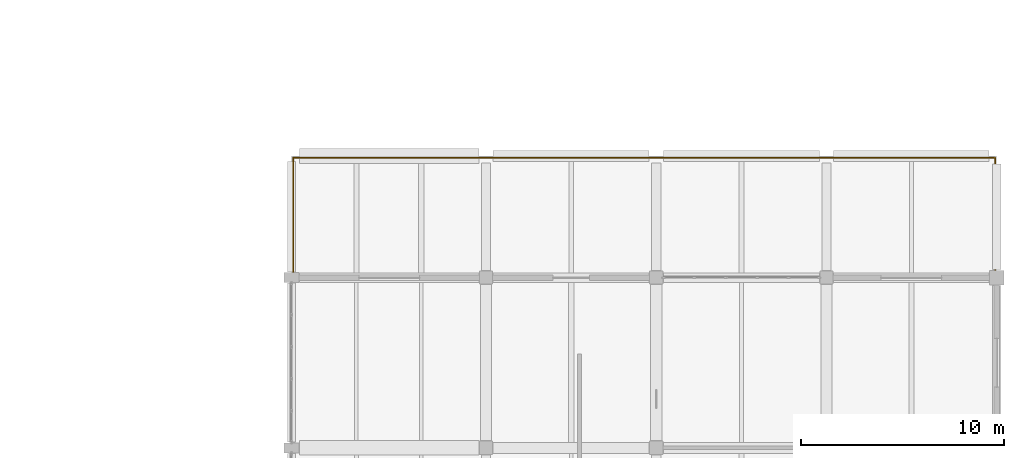
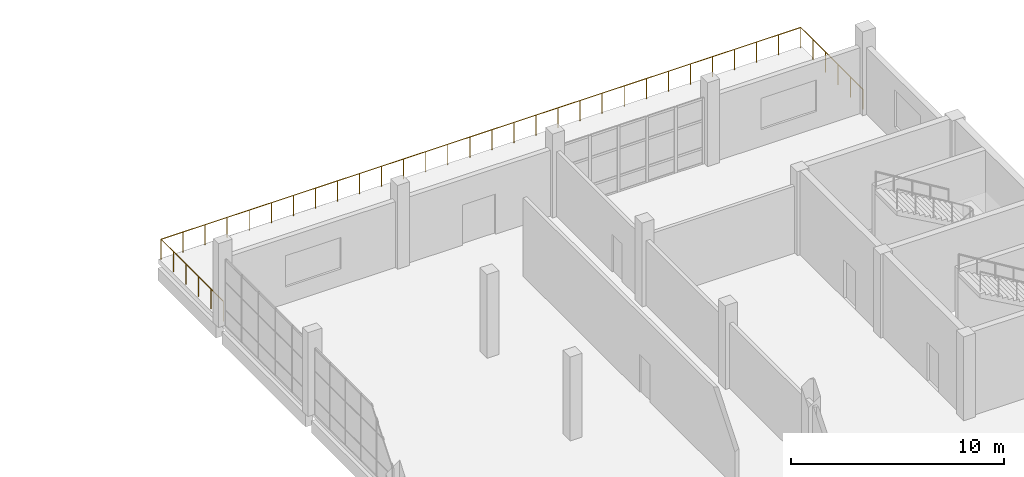
# One storey, part 79 of 79: 1 railing.
"""IFC4 building model written with IfcOpenShell, lengths in metres."""

from ifc_helpers import new_model, si_unit, direction, frame, origin, origin_2d, place, context, subcontext, project, spatial, circle, extrude, material, type_object, element, save


model = new_model("IFC4")

# Units and contexts
model_context = context("Model", 3, precision=1e-05, world=origin(), true_north=direction((0.0, 1.0)))
body_context = subcontext(model_context, "Body", "Model", "MODEL_VIEW")
ifc_project = project(units=[si_unit("LENGTHUNIT", "METRE"), si_unit("AREAUNIT", "SQUARE_METRE"), si_unit("VOLUMEUNIT", "CUBIC_METRE"), si_unit("PLANEANGLEUNIT", "RADIAN"), si_unit("MASSUNIT", "GRAM", prefix="KILO")], contexts=[model_context])

# Site, building, storey
site_placement = place(None, origin())
site = spatial("IfcSite", under=ifc_project, at=site_placement, CompositionType="ELEMENT")
building_placement = place(site_placement, origin())
building = spatial("IfcBuilding", under=site, at=building_placement, Name="Pellamere Symphony Hall", CompositionType="ELEMENT")
storey_placement = place(building_placement, frame((0.0, 0.0, 10.199951171875)))
storey = spatial("IfcBuildingStorey", under=building, at=storey_placement, Name="L02", CompositionType="ELEMENT", Elevation=10.199951171875)

# Railing
ifc_material = material(Name="Laminated Safety Glass 21.5mm with Stainless Cap", Category="glass")
railing_type = type_object("IfcRailingType", Name="Guardrail GR-03 H1180 Laminated", PredefinedType="GUARDRAIL", material=ifc_material)
railing_placement = place(storey_placement, frame((138.080078125, 93.679931640625, 0.0)))
element("IfcRailing", 1, at=railing_placement, inside=storey, type_object=railing_type, Name="Safety Guardrail GR-TER-L02-V5N", PredefinedType="GUARDRAIL", context=body_context, shape_type="SweptSolid", body=[
    extrude(circle(Radius=0.02392578125, at=origin_2d()), frame((0.0, 0.0, 1.15576171875), z_axis=(0.0, 1.0, 0.0), x_axis=(-1.0, 0.0, 0.0)), (0.0, 0.0, 1.0), 5.840087890625),
    extrude(circle(Radius=0.02392578125, at=origin_2d()), frame((0.0, 5.840087890625, 1.15576171875), z_axis=(1.0, 0.0, 0.0), x_axis=(0.0, 1.0, 0.0)), (0.0, 0.0, 1.0), 34.639892578125),
    extrude(circle(Radius=0.02392578125, at=origin_2d()), frame((34.639892578125, 5.840087890625, 1.15576171875), z_axis=(0.0, -1.0, 0.0), x_axis=(1.0, 0.0, 0.0)), (0.0, 0.0, 1.0), 5.840087890625),
    extrude(circle(Radius=0.02099609375, at=origin_2d()), origin(), (0.0, 0.0, 1.0), 1.1318359375),
    extrude(circle(Radius=0.02099609375, at=origin_2d()), frame((0.0, 1.16796875, 0.0)), (0.0, 0.0, 1.0), 1.1318359375),
    extrude(circle(Radius=0.02099609375, at=origin_2d()), frame((0.0, 2.3359375, 0.0)), (0.0, 0.0, 1.0), 1.1318359375),
    extrude(circle(Radius=0.02099609375, at=origin_2d()), frame((0.0, 3.504150390625, 0.0)), (0.0, 0.0, 1.0), 1.1318359375),
    extrude(circle(Radius=0.02099609375, at=origin_2d()), frame((0.0, 4.672119140625, 0.0)), (0.0, 0.0, 1.0), 1.1318359375),
    extrude(circle(Radius=0.02099609375, at=origin_2d()), frame((0.0, 5.840087890625, 0.0)), (0.0, 0.0, 1.0), 1.1318359375),
    extrude(circle(Radius=0.02099609375, at=origin_2d()), frame((1.194580078125, 5.840087890625, 0.0)), (0.0, 0.0, 1.0), 1.1318359375),
    extrude(circle(Radius=0.02099609375, at=origin_2d()), frame((2.388916015625, 5.840087890625, 0.0)), (0.0, 0.0, 1.0), 1.1318359375),
    extrude(circle(Radius=0.02099609375, at=origin_2d()), frame((3.58349609375, 5.840087890625, 0.0)), (0.0, 0.0, 1.0), 1.1318359375),
    extrude(circle(Radius=0.02099609375, at=origin_2d()), frame((4.77783203125, 5.840087890625, 0.0)), (0.0, 0.0, 1.0), 1.1318359375),
    extrude(circle(Radius=0.02099609375, at=origin_2d()), frame((5.972412109375, 5.840087890625, 0.0)), (0.0, 0.0, 1.0), 1.1318359375),
    extrude(circle(Radius=0.02099609375, at=origin_2d()), frame((7.1669921875, 5.840087890625, 0.0)), (0.0, 0.0, 1.0), 1.1318359375),
    extrude(circle(Radius=0.02099609375, at=origin_2d()), frame((8.361328125, 5.840087890625, 0.0)), (0.0, 0.0, 1.0), 1.1318359375),
    extrude(circle(Radius=0.02099609375, at=origin_2d()), frame((9.555908203125, 5.840087890625, 0.0)), (0.0, 0.0, 1.0), 1.1318359375),
    extrude(circle(Radius=0.02099609375, at=origin_2d()), frame((10.750244140625, 5.840087890625, 0.0)), (0.0, 0.0, 1.0), 1.1318359375),
    extrude(circle(Radius=0.02099609375, at=origin_2d()), frame((11.94482421875, 5.840087890625, 0.0)), (0.0, 0.0, 1.0), 1.1318359375),
    extrude(circle(Radius=0.02099609375, at=origin_2d()), frame((13.13916015625, 5.840087890625, 0.0)), (0.0, 0.0, 1.0), 1.1318359375),
    extrude(circle(Radius=0.02099609375, at=origin_2d()), frame((14.333740234375, 5.840087890625, 0.0)), (0.0, 0.0, 1.0), 1.1318359375),
    extrude(circle(Radius=0.02099609375, at=origin_2d()), frame((15.5283203125, 5.840087890625, 0.0)), (0.0, 0.0, 1.0), 1.1318359375),
    extrude(circle(Radius=0.02099609375, at=origin_2d()), frame((16.72265625, 5.840087890625, 0.0)), (0.0, 0.0, 1.0), 1.1318359375),
    extrude(circle(Radius=0.02099609375, at=origin_2d()), frame((17.917236328125, 5.840087890625, 0.0)), (0.0, 0.0, 1.0), 1.1318359375),
    extrude(circle(Radius=0.02099609375, at=origin_2d()), frame((19.111572265625, 5.840087890625, 0.0)), (0.0, 0.0, 1.0), 1.1318359375),
    extrude(circle(Radius=0.02099609375, at=origin_2d()), frame((20.30615234375, 5.840087890625, 0.0)), (0.0, 0.0, 1.0), 1.1318359375),
    extrude(circle(Radius=0.02099609375, at=origin_2d()), frame((21.500732421875, 5.840087890625, 0.0)), (0.0, 0.0, 1.0), 1.1318359375),
    extrude(circle(Radius=0.02099609375, at=origin_2d()), frame((22.695068359375, 5.840087890625, 0.0)), (0.0, 0.0, 1.0), 1.1318359375),
    extrude(circle(Radius=0.02099609375, at=origin_2d()), frame((23.8896484375, 5.840087890625, 0.0)), (0.0, 0.0, 1.0), 1.1318359375),
    extrude(circle(Radius=0.02099609375, at=origin_2d()), frame((25.083984375, 5.840087890625, 0.0)), (0.0, 0.0, 1.0), 1.1318359375),
    extrude(circle(Radius=0.02099609375, at=origin_2d()), frame((26.278564453125, 5.840087890625, 0.0)), (0.0, 0.0, 1.0), 1.1318359375),
    extrude(circle(Radius=0.02099609375, at=origin_2d()), frame((27.472900390625, 5.840087890625, 0.0)), (0.0, 0.0, 1.0), 1.1318359375),
    extrude(circle(Radius=0.02099609375, at=origin_2d()), frame((28.66748046875, 5.840087890625, 0.0)), (0.0, 0.0, 1.0), 1.1318359375),
    extrude(circle(Radius=0.02099609375, at=origin_2d()), frame((29.862060546875, 5.840087890625, 0.0)), (0.0, 0.0, 1.0), 1.1318359375),
    extrude(circle(Radius=0.02099609375, at=origin_2d()), frame((31.056396484375, 5.840087890625, 0.0)), (0.0, 0.0, 1.0), 1.1318359375),
    extrude(circle(Radius=0.02099609375, at=origin_2d()), frame((32.2509765625, 5.840087890625, 0.0)), (0.0, 0.0, 1.0), 1.1318359375),
    extrude(circle(Radius=0.02099609375, at=origin_2d()), frame((33.4453125, 5.840087890625, 0.0)), (0.0, 0.0, 1.0), 1.1318359375),
    extrude(circle(Radius=0.02099609375, at=origin_2d()), frame((34.639892578125, 5.840087890625, 0.0)), (0.0, 0.0, 1.0), 1.1318359375),
    extrude(circle(Radius=0.02099609375, at=origin_2d()), frame((34.639892578125, 4.672119140625, 0.0)), (0.0, 0.0, 1.0), 1.1318359375),
    extrude(circle(Radius=0.02099609375, at=origin_2d()), frame((34.639892578125, 3.504150390625, 0.0)), (0.0, 0.0, 1.0), 1.1318359375),
    extrude(circle(Radius=0.02099609375, at=origin_2d()), frame((34.639892578125, 2.3359375, 0.0)), (0.0, 0.0, 1.0), 1.1318359375),
    extrude(circle(Radius=0.02099609375, at=origin_2d()), frame((34.639892578125, 1.16796875, 0.0)), (0.0, 0.0, 1.0), 1.1318359375),
    extrude(circle(Radius=0.02099609375, at=origin_2d()), frame((34.639892578125, 0.0, 0.0)), (0.0, 0.0, 1.0), 1.1318359375),
])

save(model, "model.ifc")
